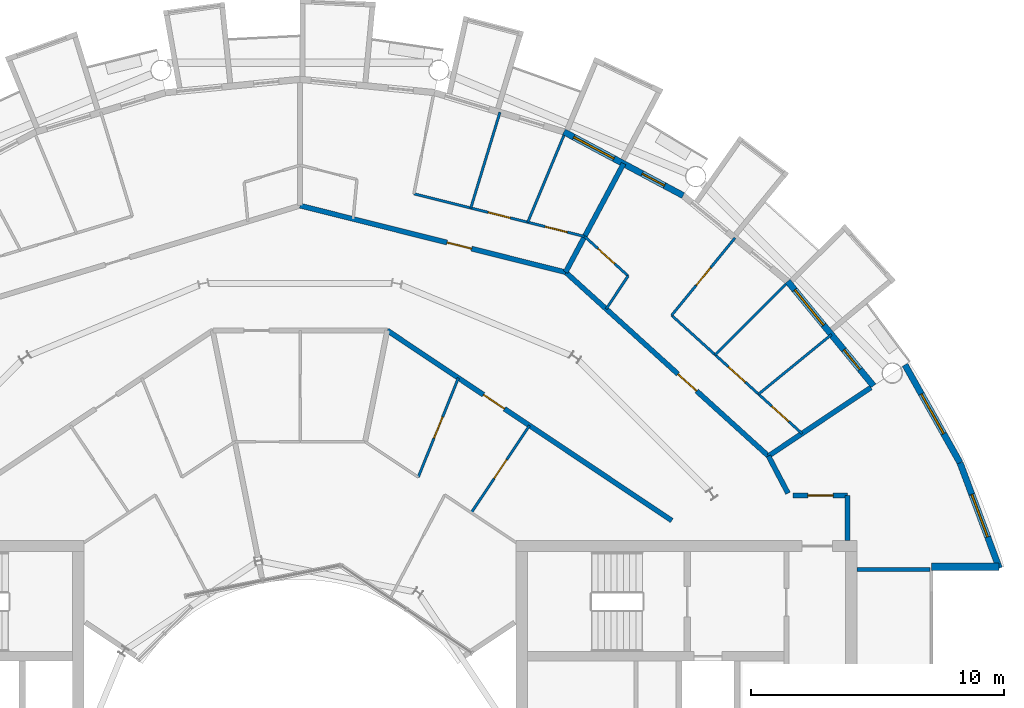
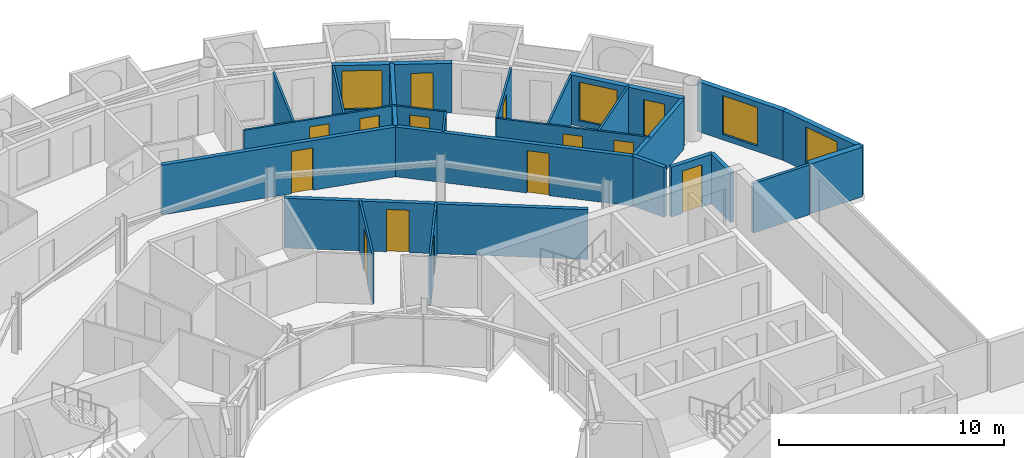
# One storey, part 23 of 28: 25 walls, 14 doors, 4 windows, 18 openings.
"""IFC4 building model written with IfcOpenShell, lengths in metres."""

from ifc_helpers import new_model, si_unit, direction, frame, frame_2d, origin, place, context, subcontext, project, spatial, rectangle, extrude, material, layer, layer_set, type_object, element, fill, save


model = new_model("IFC4")

# Units and contexts
model_context = context("Model", 3, precision=1e-05, world=origin(), true_north=direction((0.0, 1.0)))
body_context = subcontext(model_context, "Body", "Model", "MODEL_VIEW")
ifc_project = project(units=[si_unit("LENGTHUNIT", "METRE"), si_unit("AREAUNIT", "SQUARE_METRE"), si_unit("VOLUMEUNIT", "CUBIC_METRE"), si_unit("PLANEANGLEUNIT", "RADIAN"), si_unit("MASSUNIT", "GRAM", prefix="KILO")], contexts=[model_context])

# Site, building, storey
site_placement = place(None, origin())
site = spatial("IfcSite", under=ifc_project, at=site_placement, CompositionType="ELEMENT")
building_placement = place(site_placement, origin())
building = spatial("IfcBuilding", under=site, at=building_placement, Name="Maasbend Ring Residences", CompositionType="ELEMENT")
storey_placement = place(building_placement, frame((0.0, 0.0, 196.300048828125)))
storey = spatial("IfcBuildingStorey", under=building, at=storey_placement, Name="L56", CompositionType="ELEMENT", Elevation=196.300048828125)

# Wall
ifc_material_1 = material(Name="Concrete C30/37", Category="concrete")
ifc_layer_1 = layer(ifc_material_1, 0.199951171875)
ifc_layer_set_1 = layer_set([ifc_layer_1], Name="Concrete C30/37")
wall_type_1 = type_object("IfcWallType", Name="CORRIDOR WALL 200 CONCRETE", PredefinedType="PARTITIONING", material=ifc_layer_set_1)
wall_1_placement = place(storey_placement, frame((21.675048828125, 9.050048828125, 0.0), z_axis=(0.0, 0.0, 1.0), x_axis=(0.0, 1.0, 0.0)))
element("IfcWall", 1, at=wall_1_placement, inside=storey, type_object=wall_type_1, Name="U-L56-w014", PredefinedType="PARTITIONING", context=body_context, shape_type="SweptSolid", body=[
    extrude(rectangle(XDim=1.77490234375, YDim=0.199951171875, at=frame_2d((0.887451171875, 0.0))), origin(), (0.0, 0.0, 1.0), 2.699951171875),
])

# Wall, opening, door
wall_2_placement = place(storey_placement, frame((19.52294921875, 10.824951171875, 0.0), z_axis=(0.0, 0.0, 1.0), x_axis=(1.0, 0.0, 0.0)))
wall_2 = element("IfcWall", 2, at=wall_2_placement, inside=storey, type_object=wall_type_1, Name="U-L56-w093", PredefinedType="PARTITIONING", context=body_context, shape_type="SweptSolid", body=[
    extrude(rectangle(XDim=2.152099609375, YDim=0.199951171875, at=frame_2d((1.076171875, 0.0))), origin(), (0.0, 0.0, 1.0), 2.699951171875),
])
opening_1_placement = place(wall_2_placement, frame((0.575927734375, 0.0, 0.0)))
opening_1 = element("IfcOpeningElement", 3, at=opening_1_placement, cuts=wall_2, Name="Opening D-5664", PredefinedType="OPENING", context=body_context, shape_type="SweptSolid", body=[
    extrude(rectangle(XDim=1.0, YDim=2.300048828125, at=frame_2d((0.5, 1.14990234375))), frame((0.0, 0.10986328125, 0.0), z_axis=(0.0, -1.0, 0.0), x_axis=(1.0, 0.0, 0.0)), (0.0, 0.0, 1.0), 0.219970703125),
])
ifc_material_2 = material(Name="Timber, painted", Category="wood")
door_type_1 = type_object("IfcDoorType", Name="ROOM DOOR 1000 X 2300", OperationType="NOTDEFINED", PredefinedType="DOOR", material=ifc_material_2)
door_1_placement = place(opening_1_placement, origin())
door_1 = element("IfcDoor", 4, at=door_1_placement, inside=storey, type_object=door_type_1, Name="D-5664", OperationType="SINGLE_SWING_LEFT", OverallHeight=2.300048828125, OverallWidth=1.0, PredefinedType="DOOR", context=body_context, shape_type="SweptSolid", body=[
    extrude(rectangle(XDim=1.0, YDim=2.300048828125, at=frame_2d((0.5, 1.14990234375))), frame((0.0, 0.02490234375, 0.0), z_axis=(0.0, -1.0, 0.0), x_axis=(1.0, 0.0, 0.0)), (0.0, 0.0, 1.0), 0.050048828125),
])
fill(opening_1, door_1)

wall_3_placement = place(storey_placement, frame((3.452880859375, 17.360107421875, 0.0), z_axis=(0.0, 0.0, 1.0), x_axis=(0.831437137577, -0.555618831806, 0.0)))
wall_3 = element("IfcWall", 5, at=wall_3_placement, inside=storey, type_object=wall_type_1, Name="U-L56-w100", PredefinedType="PARTITIONING", context=body_context, shape_type="SweptSolid", body=[
    extrude(rectangle(XDim=13.549072265625, YDim=0.199951171875, at=frame_2d((6.7744140625, 0.0))), origin(), (0.0, 0.0, 1.0), 2.699951171875),
])
opening_2_placement = place(wall_3_placement, frame((4.5810546875, 0.0, 0.0)))
opening_2 = element("IfcOpeningElement", 6, at=opening_2_placement, cuts=wall_3, Name="Opening D-5620", PredefinedType="OPENING", context=body_context, shape_type="SweptSolid", body=[
    extrude(rectangle(XDim=1.0, YDim=2.300048828125, at=frame_2d((0.5, 1.14990234375))), frame((0.0, 0.10986328125, 0.0), z_axis=(0.0, -1.0, 0.0), x_axis=(1.0, 0.0, 0.0)), (0.0, 0.0, 1.0), 0.219970703125),
])
ifc_material_3 = material(Name="Timber, fire-rated, painted", Category="wood")
door_type_2 = type_object("IfcDoorType", Name="FLAT ENTRANCE DOOR 1000 X 2300 FIRE-RATED", OperationType="NOTDEFINED", PredefinedType="DOOR", material=ifc_material_3)
door_2_placement = place(opening_2_placement, origin())
door_2 = element("IfcDoor", 7, at=door_2_placement, inside=storey, type_object=door_type_2, Name="D-5620", OperationType="SINGLE_SWING_LEFT", OverallHeight=2.300048828125, OverallWidth=1.0, PredefinedType="DOOR", context=body_context, shape_type="SweptSolid", body=[
    extrude(rectangle(XDim=1.0, YDim=2.300048828125, at=frame_2d((0.5, 1.14990234375))), frame((0.0, 0.02490234375, 0.0), z_axis=(0.0, -1.0, 0.0), x_axis=(1.0, 0.0, 0.0)), (0.0, 0.0, 1.0), 0.050048828125),
])
fill(opening_2, door_2)

wall_4_placement = place(storey_placement, frame((0.0, 22.300048828125, 0.0), z_axis=(0.0, 0.0, 1.0), x_axis=(0.969975381822, -0.243203122222, 0.0)))
wall_4 = element("IfcWall", 8, at=wall_4_placement, inside=storey, type_object=wall_type_1, Name="U-L56-w103", PredefinedType="PARTITIONING", context=body_context, shape_type="SweptSolid", body=[
    extrude(rectangle(XDim=10.842529296875, YDim=0.199951171875, at=frame_2d((5.42138671875, 0.0))), origin(), (0.0, 0.0, 1.0), 2.699951171875),
])
opening_3_placement = place(wall_4_placement, frame((6.001953125, 0.0, 0.0)))
opening_3 = element("IfcOpeningElement", 9, at=opening_3_placement, cuts=wall_4, Name="Opening D-5606", PredefinedType="OPENING", context=body_context, shape_type="SweptSolid", body=[
    extrude(rectangle(XDim=1.0, YDim=2.300048828125, at=frame_2d((0.5, 1.14990234375))), frame((0.0, 0.10986328125, 0.0), z_axis=(0.0, -1.0, 0.0), x_axis=(1.0, 0.0, 0.0)), (0.0, 0.0, 1.0), 0.219970703125),
])
door_3_placement = place(opening_3_placement, origin())
door_3 = element("IfcDoor", 10, at=door_3_placement, inside=storey, type_object=door_type_2, Name="D-5606", OperationType="SINGLE_SWING_RIGHT", OverallHeight=2.300048828125, OverallWidth=1.0, PredefinedType="DOOR", context=body_context, shape_type="SweptSolid", body=[
    extrude(rectangle(XDim=1.0, YDim=2.300048828125, at=frame_2d((0.5, 1.14990234375))), frame((0.0, 0.02490234375, 0.0), z_axis=(0.0, -1.0, 0.0), x_axis=(1.0, 0.0, 0.0)), (0.0, 0.0, 1.0), 0.050048828125),
])
fill(opening_3, door_3)

wall_5_placement = place(storey_placement, frame((10.511962890625, 19.6669921875, 0.0), z_axis=(0.0, 0.0, 1.0), x_axis=(0.740849323054, -0.67167125927, 0.0)))
wall_5 = element("IfcWall", 11, at=wall_5_placement, inside=storey, type_object=wall_type_1, Name="U-L56-w104", PredefinedType="PARTITIONING", context=body_context, shape_type="SweptSolid", body=[
    extrude(rectangle(XDim=10.841552734375, YDim=0.199951171875, at=frame_2d((5.4208984375, 0.0))), origin(), (0.0, 0.0, 1.0), 2.699951171875),
])
opening_4_placement = place(wall_5_placement, frame((6.0029296875, 0.0, 0.0)))
opening_4 = element("IfcOpeningElement", 12, at=opening_4_placement, cuts=wall_5, Name="Opening D-5601", PredefinedType="OPENING", context=body_context, shape_type="SweptSolid", body=[
    extrude(rectangle(XDim=1.0, YDim=2.300048828125, at=frame_2d((0.5, 1.14990234375))), frame((0.0, 0.10986328125, 0.0), z_axis=(0.0, -1.0, 0.0), x_axis=(1.0, 0.0, 0.0)), (0.0, 0.0, 1.0), 0.219970703125),
])
door_4_placement = place(opening_4_placement, origin())
door_4 = element("IfcDoor", 13, at=door_4_placement, inside=storey, type_object=door_type_2, Name="D-5601", OperationType="SINGLE_SWING_RIGHT", OverallHeight=2.300048828125, OverallWidth=1.0, PredefinedType="DOOR", context=body_context, shape_type="SweptSolid", body=[
    extrude(rectangle(XDim=1.0, YDim=2.300048828125, at=frame_2d((0.5, 1.14990234375))), frame((0.0, 0.02490234375, 0.0), z_axis=(0.0, -1.0, 0.0), x_axis=(1.0, 0.0, 0.0)), (0.0, 0.0, 1.0), 0.050048828125),
])
fill(opening_4, door_4)

# Wall
wall_6_placement = place(storey_placement, frame((18.5419921875, 12.388916015625, 0.0), z_axis=(0.0, 0.0, 1.0), x_axis=(0.465359652486, -0.885121683068, 0.0)))
element("IfcWall", 14, at=wall_6_placement, inside=storey, type_object=wall_type_1, Name="U-L56-w109", PredefinedType="PARTITIONING", context=body_context, shape_type="SweptSolid", body=[
    extrude(rectangle(XDim=1.665283203125, YDim=0.199951171875, at=frame_2d((0.83251953125, 0.0))), origin(), (0.0, 0.0, 1.0), 2.699951171875),
])

# Wall, openings, door, window
ifc_material_4 = material(Name="Aluminium clad insulated panel", Category="aluminium")
ifc_layer_2 = layer(ifc_material_4, 0.25)
ifc_layer_set_2 = layer_set([ifc_layer_2], Name="EW-GL")
wall_type_2 = type_object("IfcWallType", Name="EW-GL", PredefinedType="SOLIDWALL", material=ifc_layer_set_2)
wall_7_placement = place(storey_placement, frame((22.698974609375, 15.1669921875, 0.0), z_axis=(0.0, 0.0, 1.0), x_axis=(-0.634382322723, 0.773019449054, 0.0)))
wall_7 = element("IfcWall", 15, at=wall_7_placement, inside=storey, type_object=wall_type_2, Name="External wall N01", PredefinedType="SOLIDWALL", context=body_context, shape_type="SweptSolid", body=[
    extrude(rectangle(XDim=5.351806640625, YDim=0.25, at=frame_2d((2.67578125, 0.0))), origin(), (0.0, 0.0, 1.0), 2.699951171875),
])
opening_5_placement = place(wall_7_placement, frame((0.841064453125, 0.0, 0.0)))
opening_5 = element("IfcOpeningElement", 16, at=opening_5_placement, cuts=wall_7, Name="Opening D-LG", PredefinedType="OPENING", context=body_context, shape_type="SweptSolid", body=[
    extrude(rectangle(XDim=1.0, YDim=2.199951171875, at=frame_2d((0.5, 1.10009765625))), frame((0.0, 0.135009765625, 0.0), z_axis=(0.0, -1.0, 0.0), x_axis=(1.0, 0.0, 0.0)), (0.0, 0.0, 1.0), 0.27001953125),
])
opening_6_placement = place(wall_7_placement, frame((3.110595703125, 0.0, 0.300048828125)))
opening_6 = element("IfcOpeningElement", 17, at=opening_6_placement, cuts=wall_7, Name="Opening W-BX", PredefinedType="OPENING", context=body_context, shape_type="SweptSolid", body=[
    extrude(rectangle(XDim=1.800048828125, YDim=2.10009765625, at=frame_2d((0.89990234375, 1.050048828125))), frame((0.0, 0.135009765625, 0.0), z_axis=(0.0, -1.0, 0.0), x_axis=(1.0, 0.0, 0.0)), (0.0, 0.0, 1.0), 0.27001953125),
])
ifc_material_5 = material(Name="Aluminium and clear glass", Category="aluminium")
door_type_3 = type_object("IfcDoorType", Name="D-LG", OperationType="SINGLE_SWING_LEFT", PredefinedType="DOOR", material=ifc_material_5)
door_5_placement = place(opening_5_placement, origin())
door_5 = element("IfcDoor", 18, at=door_5_placement, inside=storey, type_object=door_type_3, Name="Loggia door N01", OperationType="SINGLE_SWING_LEFT", OverallHeight=2.199951171875, OverallWidth=1.0, PredefinedType="DOOR", context=body_context, shape_type="SweptSolid", body=[
    extrude(rectangle(XDim=1.0, YDim=2.199951171875, at=frame_2d((0.5, 1.10009765625))), frame((0.0, 0.02490234375, 0.0), z_axis=(0.0, -1.0, 0.0), x_axis=(1.0, 0.0, 0.0)), (0.0, 0.0, 1.0), 0.050048828125),
])
fill(opening_5, door_5)
ifc_material_6 = material(Name="Aluminium and clear glass", Category="aluminium")
window_type = type_object("IfcWindowType", Name="W-BX", PartitioningType="DOUBLE_PANEL_VERTICAL", PredefinedType="WINDOW", material=ifc_material_6)
window_1_placement = place(opening_6_placement, origin())
window_1 = element("IfcWindow", 19, at=window_1_placement, inside=storey, type_object=window_type, Name="Window N02 room to box", OverallHeight=2.10009765625, OverallWidth=1.800048828125, PartitioningType="SINGLE_PANEL", PredefinedType="WINDOW", context=body_context, shape_type="SweptSolid", body=[
    extrude(rectangle(XDim=1.800048828125, YDim=2.10009765625, at=frame_2d((0.89990234375, 1.050048828125))), frame((0.0, 0.030029296875, 0.0), z_axis=(0.0, -1.0, 0.0), x_axis=(1.0, 0.0, 0.0)), (0.0, 0.0, 1.0), 0.06005859375),
])
fill(opening_6, window_1)

wall_8_placement = place(storey_placement, frame((15.1669921875, 22.698974609375, 0.0), z_axis=(0.0, 0.0, 1.0), x_axis=(-0.881915646801, 0.471407246368, 0.0)))
wall_8 = element("IfcWall", 20, at=wall_8_placement, inside=storey, type_object=wall_type_2, Name="External wall N03", PredefinedType="SOLIDWALL", context=body_context, shape_type="SweptSolid", body=[
    extrude(rectangle(XDim=5.35205078125, YDim=0.25, at=frame_2d((2.676025390625, 0.0))), origin(), (0.0, 0.0, 1.0), 2.699951171875),
])
opening_7_placement = place(wall_8_placement, frame((0.841064453125, 0.0, 0.0)))
opening_7 = element("IfcOpeningElement", 21, at=opening_7_placement, cuts=wall_8, Name="Opening D-LG", PredefinedType="OPENING", context=body_context, shape_type="SweptSolid", body=[
    extrude(rectangle(XDim=1.0, YDim=2.199951171875, at=frame_2d((0.5, 1.10009765625))), frame((0.0, 0.135009765625, 0.0), z_axis=(0.0, -1.0, 0.0), x_axis=(1.0, 0.0, 0.0)), (0.0, 0.0, 1.0), 0.27001953125),
])
opening_8_placement = place(wall_8_placement, frame((3.110595703125, 0.0, 0.300048828125)))
opening_8 = element("IfcOpeningElement", 22, at=opening_8_placement, cuts=wall_8, Name="Opening W-BX", PredefinedType="OPENING", context=body_context, shape_type="SweptSolid", body=[
    extrude(rectangle(XDim=1.800048828125, YDim=2.10009765625, at=frame_2d((0.89990234375, 1.050048828125))), frame((0.0, 0.135009765625, 0.0), z_axis=(0.0, -1.0, 0.0), x_axis=(1.0, 0.0, 0.0)), (0.0, 0.0, 1.0), 0.27001953125),
])
door_6_placement = place(opening_7_placement, origin())
door_6 = element("IfcDoor", 23, at=door_6_placement, inside=storey, type_object=door_type_3, Name="Loggia door N05", OperationType="SINGLE_SWING_LEFT", OverallHeight=2.199951171875, OverallWidth=1.0, PredefinedType="DOOR", context=body_context, shape_type="SweptSolid", body=[
    extrude(rectangle(XDim=1.0, YDim=2.199951171875, at=frame_2d((0.5, 1.10009765625))), frame((0.0, 0.02490234375, 0.0), z_axis=(0.0, -1.0, 0.0), x_axis=(1.0, 0.0, 0.0)), (0.0, 0.0, 1.0), 0.050048828125),
])
fill(opening_7, door_6)
window_2_placement = place(opening_8_placement, origin())
window_2 = element("IfcWindow", 24, at=window_2_placement, inside=storey, type_object=window_type, Name="Window N06 room to box", OverallHeight=2.10009765625, OverallWidth=1.800048828125, PartitioningType="SINGLE_PANEL", PredefinedType="WINDOW", context=body_context, shape_type="SweptSolid", body=[
    extrude(rectangle(XDim=1.800048828125, YDim=2.10009765625, at=frame_2d((0.89990234375, 1.050048828125))), frame((0.0, 0.030029296875, 0.0), z_axis=(0.0, -1.0, 0.0), x_axis=(1.0, 0.0, 0.0)), (0.0, 0.0, 1.0), 0.06005859375),
])
fill(opening_8, window_2)

# Wall, opening, window
ifc_material_7 = material(Name="Aluminium clad insulated panel", Category="aluminium")
ifc_layer_3 = layer(ifc_material_7, 0.25)
ifc_layer_set_3 = layer_set([ifc_layer_3], Name="EW-HORN")
wall_type_3 = type_object("IfcWallType", Name="EW-HORN", PredefinedType="SOLIDWALL", material=ifc_layer_set_3)
wall_9_placement = place(storey_placement, frame((27.681884765625, 7.945068359375, 0.0), z_axis=(0.0, 0.0, 1.0), x_axis=(-0.349247811493, 0.937030397675, 0.0)))
wall_9 = element("IfcWall", 25, at=wall_9_placement, inside=storey, type_object=wall_type_3, Name="Horn wall 1.1", PredefinedType="SOLIDWALL", context=body_context, shape_type="SweptSolid", body=[
    extrude(rectangle(XDim=4.4521484375, YDim=0.25, at=frame_2d((2.22607421875, 0.0))), origin(), (0.0, 0.0, 1.0), 2.699951171875),
])
opening_9_placement = place(wall_9_placement, frame((1.32666015625, 0.0, 0.300048828125)))
opening_9 = element("IfcOpeningElement", 26, at=opening_9_placement, cuts=wall_9, Name="Opening W-BX", PredefinedType="OPENING", context=body_context, shape_type="SweptSolid", body=[
    extrude(rectangle(XDim=1.800048828125, YDim=2.10009765625, at=frame_2d((0.89990234375, 1.050048828125))), frame((0.0, 0.135009765625, 0.0), z_axis=(0.0, -1.0, 0.0), x_axis=(1.0, 0.0, 0.0)), (0.0, 0.0, 1.0), 0.27001953125),
])
window_3_placement = place(opening_9_placement, origin())
window_3 = element("IfcWindow", 27, at=window_3_placement, inside=storey, type_object=window_type, Name="Horn window 1.1", OverallHeight=2.10009765625, OverallWidth=1.800048828125, PartitioningType="SINGLE_PANEL", PredefinedType="WINDOW", context=body_context, shape_type="SweptSolid", body=[
    extrude(rectangle(XDim=1.800048828125, YDim=2.10009765625, at=frame_2d((0.89990234375, 1.050048828125))), frame((0.0, 0.030029296875, 0.0), z_axis=(0.0, -1.0, 0.0), x_axis=(1.0, 0.0, 0.0)), (0.0, 0.0, 1.0), 0.06005859375),
])
fill(opening_9, window_3)

wall_10_placement = place(storey_placement, frame((26.126953125, 12.116943359375, 0.0), z_axis=(0.0, 0.0, 1.0), x_axis=(-0.489696356642, 0.871893042919, 0.0)))
wall_10 = element("IfcWall", 28, at=wall_10_placement, inside=storey, type_object=wall_type_3, Name="Horn wall 1.2", PredefinedType="SOLIDWALL", context=body_context, shape_type="SweptSolid", body=[
    extrude(rectangle(XDim=4.45361328125, YDim=0.25, at=frame_2d((2.226806640625, 0.0))), origin(), (0.0, 0.0, 1.0), 2.699951171875),
])
opening_10_placement = place(wall_10_placement, frame((1.32666015625, 0.0, 0.300048828125)))
opening_10 = element("IfcOpeningElement", 29, at=opening_10_placement, cuts=wall_10, Name="Opening W-BX", PredefinedType="OPENING", context=body_context, shape_type="SweptSolid", body=[
    extrude(rectangle(XDim=1.800048828125, YDim=2.10009765625, at=frame_2d((0.89990234375, 1.050048828125))), frame((0.0, 0.135009765625, 0.0), z_axis=(0.0, -1.0, 0.0), x_axis=(1.0, 0.0, 0.0)), (0.0, 0.0, 1.0), 0.27001953125),
])
window_4_placement = place(opening_10_placement, origin())
window_4 = element("IfcWindow", 30, at=window_4_placement, inside=storey, type_object=window_type, Name="Horn window 1.2", OverallHeight=2.10009765625, OverallWidth=1.800048828125, PartitioningType="SINGLE_PANEL", PredefinedType="WINDOW", context=body_context, shape_type="SweptSolid", body=[
    extrude(rectangle(XDim=1.800048828125, YDim=2.10009765625, at=frame_2d((0.89990234375, 1.050048828125))), frame((0.0, 0.030029296875, 0.0), z_axis=(0.0, -1.0, 0.0), x_axis=(1.0, 0.0, 0.0)), (0.0, 0.0, 1.0), 0.06005859375),
])
fill(opening_10, window_4)

# Wall
ifc_material_8 = material(Name="Aluminium clad insulated panel", Category="aluminium")
ifc_layer_4 = layer(ifc_material_8, 0.300048828125)
ifc_layer_set_4 = layer_set([ifc_layer_4], Name="EW-RET")
wall_type_4 = type_object("IfcWallType", Name="EW-RET", PredefinedType="SOLIDWALL", material=ifc_layer_set_4)
wall_11_placement = place(storey_placement, frame((25.0, 8.0, 0.0), z_axis=(0.0, 0.0, 1.0), x_axis=(1.0, 0.0, 0.0)))
element("IfcWall", 31, at=wall_11_placement, inside=storey, type_object=wall_type_4, Name="Notch return wall east north", PredefinedType="SOLIDWALL", context=body_context, shape_type="SweptSolid", body=[
    extrude(rectangle(XDim=2.6669921875, YDim=0.300048828125, at=frame_2d((1.33349609375, 0.0))), origin(), (0.0, 0.0, 1.0), 2.699951171875),
])

# Wall, opening, door
ifc_material_9 = material(Name="Gypsum board on steel studs", Category="steel")
ifc_layer_5 = layer(ifc_material_9, 0.10009765625)
ifc_layer_set_5 = layer_set([ifc_layer_5], Name="PARTITION 100 GYPSUM")
wall_type_5 = type_object("IfcWallType", Name="PARTITION 100 GYPSUM", PredefinedType="PARTITIONING", material=ifc_layer_set_5)
wall_12_placement = place(storey_placement, frame((4.677978515625, 11.551025390625, 0.0), z_axis=(0.0, 0.0, 1.0), x_axis=(0.375509828455, 0.926818411952, 0.0)))
wall_12 = element("IfcWall", 32, at=wall_12_placement, inside=storey, type_object=wall_type_5, Name="U-L56-w070", PredefinedType="PARTITIONING", context=body_context, shape_type="SweptSolid", body=[
    extrude(rectangle(XDim=4.237060546875, YDim=0.10009765625, at=frame_2d((2.11865234375, 0.0))), origin(), (0.0, 0.0, 1.0), 2.699951171875),
])
opening_11_placement = place(wall_12_placement, frame((1.6689453125, 0.0, 0.0)))
opening_11 = element("IfcOpeningElement", 33, at=opening_11_placement, cuts=wall_12, Name="Opening D-5621", PredefinedType="OPENING", context=body_context, shape_type="SweptSolid", body=[
    extrude(rectangle(XDim=0.89990234375, YDim=2.300048828125, at=frame_2d((0.449951171875, 1.14990234375))), frame((0.0, 0.06005859375, 0.0), z_axis=(0.0, -1.0, 0.0), x_axis=(1.0, 0.0, 0.0)), (0.0, 0.0, 1.0), 0.1201171875),
])
ifc_material_10 = material(Name="Timber, painted", Category="wood")
door_type_4 = type_object("IfcDoorType", Name="INTERNAL DOOR 900 X 2300", OperationType="NOTDEFINED", PredefinedType="DOOR", material=ifc_material_10)
door_7_placement = place(opening_11_placement, origin())
door_7 = element("IfcDoor", 34, at=door_7_placement, inside=storey, type_object=door_type_4, Name="D-5621", OperationType="SINGLE_SWING_RIGHT", OverallHeight=2.300048828125, OverallWidth=0.89990234375, PredefinedType="DOOR", context=body_context, shape_type="SweptSolid", body=[
    extrude(rectangle(XDim=0.89990234375, YDim=2.300048828125, at=frame_2d((0.449951171875, 1.14990234375))), frame((0.0, 0.02490234375, 0.0), z_axis=(0.0, -1.0, 0.0), x_axis=(1.0, 0.0, 0.0)), (0.0, 0.0, 1.0), 0.050048828125),
])
fill(opening_11, door_7)

# Wall
wall_13_placement = place(storey_placement, frame((6.760009765625, 22.20703125, 0.0), z_axis=(0.0, 0.0, 1.0), x_axis=(0.291291575636, 0.956634317785, 0.0)))
element("IfcWall", 35, at=wall_13_placement, inside=storey, type_object=wall_type_5, Name="U-L56-w072", PredefinedType="PARTITIONING", context=body_context, shape_type="SweptSolid", body=[
    extrude(rectangle(XDim=3.9619140625, YDim=0.10009765625, at=frame_2d((1.98095703125, 0.0))), origin(), (0.0, 0.0, 1.0), 2.699951171875),
])

# Wall, opening, door
wall_14_placement = place(storey_placement, frame((6.780029296875, 10.14697265625, 0.0), z_axis=(0.0, 0.0, 1.0), x_axis=(0.555528237031, 0.831497671591, 0.0)))
wall_14 = element("IfcWall", 36, at=wall_14_placement, inside=storey, type_object=wall_type_5, Name="U-L56-w073", PredefinedType="PARTITIONING", context=body_context, shape_type="SweptSolid", body=[
    extrude(rectangle(XDim=4.149169921875, YDim=0.10009765625, at=frame_2d((2.07470703125, 0.0))), origin(), (0.0, 0.0, 1.0), 2.699951171875),
])
opening_12_placement = place(wall_14_placement, frame((1.625, 0.0, 0.0)))
opening_12 = element("IfcOpeningElement", 37, at=opening_12_placement, cuts=wall_14, Name="Opening D-5622", PredefinedType="OPENING", context=body_context, shape_type="SweptSolid", body=[
    extrude(rectangle(XDim=0.89990234375, YDim=2.300048828125, at=frame_2d((0.449951171875, 1.14990234375))), frame((0.0, 0.06005859375, 0.0), z_axis=(0.0, -1.0, 0.0), x_axis=(1.0, 0.0, 0.0)), (0.0, 0.0, 1.0), 0.1201171875),
])
door_8_placement = place(opening_12_placement, origin())
door_8 = element("IfcDoor", 38, at=door_8_placement, inside=storey, type_object=door_type_4, Name="D-5622", OperationType="SINGLE_SWING_RIGHT", OverallHeight=2.300048828125, OverallWidth=0.89990234375, PredefinedType="DOOR", context=body_context, shape_type="SweptSolid", body=[
    extrude(rectangle(XDim=0.89990234375, YDim=2.300048828125, at=frame_2d((0.449951171875, 1.14990234375))), frame((0.0, 0.02490234375, 0.0), z_axis=(0.0, -1.0, 0.0), x_axis=(1.0, 0.0, 0.0)), (0.0, 0.0, 1.0), 0.050048828125),
])
fill(opening_12, door_8)

# Walls
wall_15_placement = place(storey_placement, frame((9.012939453125, 21.64208984375, 0.0), z_axis=(0.0, 0.0, 1.0), x_axis=(0.384420204655, 0.923158223845, 0.0)))
element("IfcWall", 39, at=wall_15_placement, inside=storey, type_object=wall_type_5, Name="U-L56-w077", PredefinedType="PARTITIONING", context=body_context, shape_type="SweptSolid", body=[
    extrude(rectangle(XDim=3.73046875, YDim=0.10009765625, at=frame_2d((1.865234375, 0.0))), origin(), (0.0, 0.0, 1.0), 2.699951171875),
])
wall_16_placement = place(storey_placement, frame((12.117919921875, 18.2109375, 0.0), z_axis=(0.0, 0.0, 1.0), x_axis=(0.554125989098, 0.832432813028, 0.0)))
element("IfcWall", 40, at=wall_16_placement, inside=storey, type_object=wall_type_5, Name="U-L56-w081", PredefinedType="PARTITIONING", context=body_context, shape_type="SweptSolid", body=[
    extrude(rectangle(XDim=1.5703125, YDim=0.10009765625, at=frame_2d((0.78515625, 0.0))), origin(), (0.0, 0.0, 1.0), 2.699951171875),
])

# Wall, opening, door
wall_17_placement = place(storey_placement, frame((14.708984375, 17.9580078125, 0.0), z_axis=(0.0, 0.0, 1.0), x_axis=(0.633590098448, 0.773668913133, 0.0)))
wall_17 = element("IfcWall", 41, at=wall_17_placement, inside=storey, type_object=wall_type_5, Name="U-L56-w083", PredefinedType="PARTITIONING", context=body_context, shape_type="SweptSolid", body=[
    extrude(rectangle(XDim=3.961669921875, YDim=0.10009765625, at=frame_2d((1.98095703125, 0.0))), origin(), (0.0, 0.0, 1.0), 2.699951171875),
])
opening_13_placement = place(wall_17_placement, frame((1.531005859375, 0.0, 0.0)))
opening_13 = element("IfcOpeningElement", 42, at=opening_13_placement, cuts=wall_17, Name="Opening D-5603", PredefinedType="OPENING", context=body_context, shape_type="SweptSolid", body=[
    extrude(rectangle(XDim=0.89990234375, YDim=2.300048828125, at=frame_2d((0.449951171875, 1.14990234375))), frame((0.0, 0.06005859375, 0.0), z_axis=(0.0, -1.0, 0.0), x_axis=(1.0, 0.0, 0.0)), (0.0, 0.0, 1.0), 0.1201171875),
])
door_9_placement = place(opening_13_placement, origin())
door_9 = element("IfcDoor", 43, at=door_9_placement, inside=storey, type_object=door_type_4, Name="D-5603", OperationType="SINGLE_SWING_RIGHT", OverallHeight=2.300048828125, OverallWidth=0.89990234375, PredefinedType="DOOR", context=body_context, shape_type="SweptSolid", body=[
    extrude(rectangle(XDim=0.89990234375, YDim=2.300048828125, at=frame_2d((0.449951171875, 1.14990234375))), frame((0.0, 0.02490234375, 0.0), z_axis=(0.0, -1.0, 0.0), x_axis=(1.0, 0.0, 0.0)), (0.0, 0.0, 1.0), 0.050048828125),
])
fill(opening_13, door_9)

# Walls
wall_18_placement = place(storey_placement, frame((16.429931640625, 16.39794921875, 0.0), z_axis=(0.0, 0.0, 1.0), x_axis=(0.707722727509, 0.706490297858, 0.0)))
element("IfcWall", 44, at=wall_18_placement, inside=storey, type_object=wall_type_5, Name="U-L56-w085", PredefinedType="PARTITIONING", context=body_context, shape_type="SweptSolid", body=[
    extrude(rectangle(XDim=3.9619140625, YDim=0.10009765625, at=frame_2d((1.98095703125, 0.0))), origin(), (0.0, 0.0, 1.0), 2.699951171875),
])
wall_19_placement = place(storey_placement, frame((18.15087890625, 14.837890625, 0.0), z_axis=(0.0, 0.0, 1.0), x_axis=(0.774321581607, 0.63279229472, 0.0)))
element("IfcWall", 45, at=wall_19_placement, inside=storey, type_object=wall_type_5, Name="U-L56-w087", PredefinedType="PARTITIONING", context=body_context, shape_type="SweptSolid", body=[
    extrude(rectangle(XDim=3.731201171875, YDim=0.10009765625, at=frame_2d((1.86572265625, 0.0))), origin(), (0.0, 0.0, 1.0), 2.699951171875),
])

# Wall, openings, doors
wall_20_placement = place(storey_placement, frame((4.507080078125, 22.77099609375, 0.0), z_axis=(0.0, 0.0, 1.0), x_axis=(0.970020829306, -0.243021790611, 0.0)))
wall_20 = element("IfcWall", 46, at=wall_20_placement, inside=storey, type_object=wall_type_5, Name="U-L56-w113", PredefinedType="PARTITIONING", context=body_context, shape_type="SweptSolid", body=[
    extrude(rectangle(XDim=6.970947265625, YDim=0.10009765625, at=frame_2d((3.4853515625, 0.0))), origin(), (0.0, 0.0, 1.0), 2.699951171875),
])
opening_14_placement = place(wall_20_placement, frame((3.031005859375, 0.0, 0.0)))
opening_14 = element("IfcOpeningElement", 47, at=opening_14_placement, cuts=wall_20, Name="Opening D-5609", PredefinedType="OPENING", context=body_context, shape_type="SweptSolid", body=[
    extrude(rectangle(XDim=0.89990234375, YDim=2.300048828125, at=frame_2d((0.449951171875, 1.14990234375))), frame((0.0, 0.06005859375, 0.0), z_axis=(0.0, -1.0, 0.0), x_axis=(1.0, 0.0, 0.0)), (0.0, 0.0, 1.0), 0.1201171875),
])
opening_15_placement = place(wall_20_placement, frame((5.35791015625, 0.0, 0.0)))
opening_15 = element("IfcOpeningElement", 48, at=opening_15_placement, cuts=wall_20, Name="Opening D-5610", PredefinedType="OPENING", context=body_context, shape_type="SweptSolid", body=[
    extrude(rectangle(XDim=0.89990234375, YDim=2.300048828125, at=frame_2d((0.449951171875, 1.14990234375))), frame((0.0, 0.06005859375, 0.0), z_axis=(0.0, -1.0, 0.0), x_axis=(1.0, 0.0, 0.0)), (0.0, 0.0, 1.0), 0.1201171875),
])
door_10_placement = place(opening_14_placement, origin())
door_10 = element("IfcDoor", 49, at=door_10_placement, inside=storey, type_object=door_type_4, Name="D-5609", OperationType="SINGLE_SWING_LEFT", OverallHeight=2.300048828125, OverallWidth=0.89990234375, PredefinedType="DOOR", context=body_context, shape_type="SweptSolid", body=[
    extrude(rectangle(XDim=0.89990234375, YDim=2.300048828125, at=frame_2d((0.449951171875, 1.14990234375))), frame((0.0, 0.02490234375, 0.0), z_axis=(0.0, -1.0, 0.0), x_axis=(1.0, 0.0, 0.0)), (0.0, 0.0, 1.0), 0.050048828125),
])
fill(opening_14, door_10)
door_11_placement = place(opening_15_placement, origin())
door_11 = element("IfcDoor", 50, at=door_11_placement, inside=storey, type_object=door_type_4, Name="D-5610", OperationType="SINGLE_SWING_RIGHT", OverallHeight=2.300048828125, OverallWidth=0.89990234375, PredefinedType="DOOR", context=body_context, shape_type="SweptSolid", body=[
    extrude(rectangle(XDim=0.89990234375, YDim=2.300048828125, at=frame_2d((0.449951171875, 1.14990234375))), frame((0.0, 0.02490234375, 0.0), z_axis=(0.0, -1.0, 0.0), x_axis=(1.0, 0.0, 0.0)), (0.0, 0.0, 1.0), 0.050048828125),
])
fill(opening_15, door_11)

# Wall, opening, door
wall_21_placement = place(storey_placement, frame((11.27099609375, 21.073974609375, 0.0), z_axis=(0.0, 0.0, 1.0), x_axis=(0.74087097024, -0.671647381783, 0.0)))
wall_21 = element("IfcWall", 51, at=wall_21_placement, inside=storey, type_object=wall_type_5, Name="U-L56-w114", PredefinedType="PARTITIONING", context=body_context, shape_type="SweptSolid", body=[
    extrude(rectangle(XDim=2.32421875, YDim=0.10009765625, at=frame_2d((1.162109375, 0.0))), origin(), (0.0, 0.0, 1.0), 2.699951171875),
])
opening_16_placement = place(wall_21_placement, frame((0.705078125, 0.0, 0.0)))
opening_16 = element("IfcOpeningElement", 52, at=opening_16_placement, cuts=wall_21, Name="Opening D-5602", PredefinedType="OPENING", context=body_context, shape_type="SweptSolid", body=[
    extrude(rectangle(XDim=0.89990234375, YDim=2.300048828125, at=frame_2d((0.449951171875, 1.14990234375))), frame((0.0, 0.06005859375, 0.0), z_axis=(0.0, -1.0, 0.0), x_axis=(1.0, 0.0, 0.0)), (0.0, 0.0, 1.0), 0.1201171875),
])
door_12_placement = place(opening_16_placement, origin())
door_12 = element("IfcDoor", 53, at=door_12_placement, inside=storey, type_object=door_type_4, Name="D-5602", OperationType="SINGLE_SWING_LEFT", OverallHeight=2.300048828125, OverallWidth=0.89990234375, PredefinedType="DOOR", context=body_context, shape_type="SweptSolid", body=[
    extrude(rectangle(XDim=0.89990234375, YDim=2.300048828125, at=frame_2d((0.449951171875, 1.14990234375))), frame((0.0, 0.02490234375, 0.0), z_axis=(0.0, -1.0, 0.0), x_axis=(1.0, 0.0, 0.0)), (0.0, 0.0, 1.0), 0.050048828125),
])
fill(opening_16, door_12)

# Wall, openings, doors
wall_22_placement = place(storey_placement, frame((14.708984375, 17.9580078125, 0.0), z_axis=(0.0, 0.0, 1.0), x_axis=(0.740923753351, -0.671589153962, 0.0)))
wall_22 = element("IfcWall", 54, at=wall_22_placement, inside=storey, type_object=wall_type_5, Name="U-L56-w115", PredefinedType="PARTITIONING", context=body_context, shape_type="SweptSolid", body=[
    extrude(rectangle(XDim=6.968505859375, YDim=0.10009765625, at=frame_2d((3.484375, 0.0))), origin(), (0.0, 0.0, 1.0), 2.699951171875),
])
opening_17_placement = place(wall_22_placement, frame((3.033935546875, 0.0, 0.0)))
opening_17 = element("IfcOpeningElement", 55, at=opening_17_placement, cuts=wall_22, Name="Opening D-5604", PredefinedType="OPENING", context=body_context, shape_type="SweptSolid", body=[
    extrude(rectangle(XDim=0.89990234375, YDim=2.300048828125, at=frame_2d((0.449951171875, 1.14990234375))), frame((0.0, 0.06005859375, 0.0), z_axis=(0.0, -1.0, 0.0), x_axis=(1.0, 0.0, 0.0)), (0.0, 0.0, 1.0), 0.1201171875),
])
opening_18_placement = place(wall_22_placement, frame((5.35693359375, 0.0, 0.0)))
opening_18 = element("IfcOpeningElement", 56, at=opening_18_placement, cuts=wall_22, Name="Opening D-5605", PredefinedType="OPENING", context=body_context, shape_type="SweptSolid", body=[
    extrude(rectangle(XDim=0.89990234375, YDim=2.300048828125, at=frame_2d((0.449951171875, 1.14990234375))), frame((0.0, 0.06005859375, 0.0), z_axis=(0.0, -1.0, 0.0), x_axis=(1.0, 0.0, 0.0)), (0.0, 0.0, 1.0), 0.1201171875),
])
door_13_placement = place(opening_17_placement, origin())
door_13 = element("IfcDoor", 57, at=door_13_placement, inside=storey, type_object=door_type_4, Name="D-5604", OperationType="SINGLE_SWING_LEFT", OverallHeight=2.300048828125, OverallWidth=0.89990234375, PredefinedType="DOOR", context=body_context, shape_type="SweptSolid", body=[
    extrude(rectangle(XDim=0.89990234375, YDim=2.300048828125, at=frame_2d((0.449951171875, 1.14990234375))), frame((0.0, 0.02490234375, 0.0), z_axis=(0.0, -1.0, 0.0), x_axis=(1.0, 0.0, 0.0)), (0.0, 0.0, 1.0), 0.050048828125),
])
fill(opening_17, door_13)
door_14_placement = place(opening_18_placement, origin())
door_14 = element("IfcDoor", 58, at=door_14_placement, inside=storey, type_object=door_type_4, Name="D-5605", OperationType="SINGLE_SWING_RIGHT", OverallHeight=2.300048828125, OverallWidth=0.89990234375, PredefinedType="DOOR", context=body_context, shape_type="SweptSolid", body=[
    extrude(rectangle(XDim=0.89990234375, YDim=2.300048828125, at=frame_2d((0.449951171875, 1.14990234375))), frame((0.0, 0.02490234375, 0.0), z_axis=(0.0, -1.0, 0.0), x_axis=(1.0, 0.0, 0.0)), (0.0, 0.0, 1.0), 0.050048828125),
])
fill(opening_18, door_14)

# Walls
ifc_material_11 = material(Name="Gypsum board on steel studs", Category="steel")
ifc_layer_6 = layer(ifc_material_11, 0.14990234375)
ifc_layer_set_6 = layer_set([ifc_layer_6], Name="PARTITION 150 EI 60")
wall_type_6 = type_object("IfcWallType", Name="PARTITION 150 EI 60", PredefinedType="PARTITIONING", material=ifc_layer_set_6)
wall_23_placement = place(storey_placement, frame((22.050048828125, 7.89990234375, 0.0), z_axis=(0.0, 0.0, 1.0), x_axis=(1.0, 0.0, 0.0)))
element("IfcWall", 59, at=wall_23_placement, inside=storey, type_object=wall_type_6, Name="L56 core E wall CITN", PredefinedType="PARTITIONING", context=body_context, shape_type="SweptSolid", body=[
    extrude(rectangle(XDim=2.889892578125, YDim=0.14990234375, at=frame_2d((1.44482421875, 0.0))), origin(), (0.0, 0.0, 1.0), 2.699951171875),
])
ifc_material_12 = material(Name="Concrete C30/37", Category="concrete")
ifc_layer_7 = layer(ifc_material_12, 0.199951171875)
ifc_layer_set_7 = layer_set([ifc_layer_7], Name="Concrete C30/37")
wall_type_7 = type_object("IfcWallType", Name="PARTY WALL 200 CONCRETE", PredefinedType="PARTITIONING", material=ifc_layer_set_7)
wall_24_placement = place(storey_placement, frame((10.511962890625, 19.6669921875, 0.0), z_axis=(0.0, 0.0, 1.0), x_axis=(0.471271812246, 0.881988026553, 0.0)))
element("IfcWall", 60, at=wall_24_placement, inside=storey, type_object=wall_type_7, Name="U-L56-w080", PredefinedType="PARTITIONING", context=body_context, shape_type="SweptSolid", body=[
    extrude(rectangle(XDim=4.874267578125, YDim=0.199951171875, at=frame_2d((2.43701171875, 0.0))), origin(), (0.0, 0.0, 1.0), 2.699951171875),
])
wall_25_placement = place(storey_placement, frame((18.5419921875, 12.388916015625, 0.0), z_axis=(0.0, 0.0, 1.0), x_axis=(0.831387096605, 0.55569370664, 0.0)))
element("IfcWall", 61, at=wall_25_placement, inside=storey, type_object=wall_type_7, Name="U-L56-w089", PredefinedType="PARTITIONING", context=body_context, shape_type="SweptSolid", body=[
    extrude(rectangle(XDim=4.875, YDim=0.199951171875, at=frame_2d((2.4375, 0.0))), origin(), (0.0, 0.0, 1.0), 2.699951171875),
])

save(model, "model.ifc")
